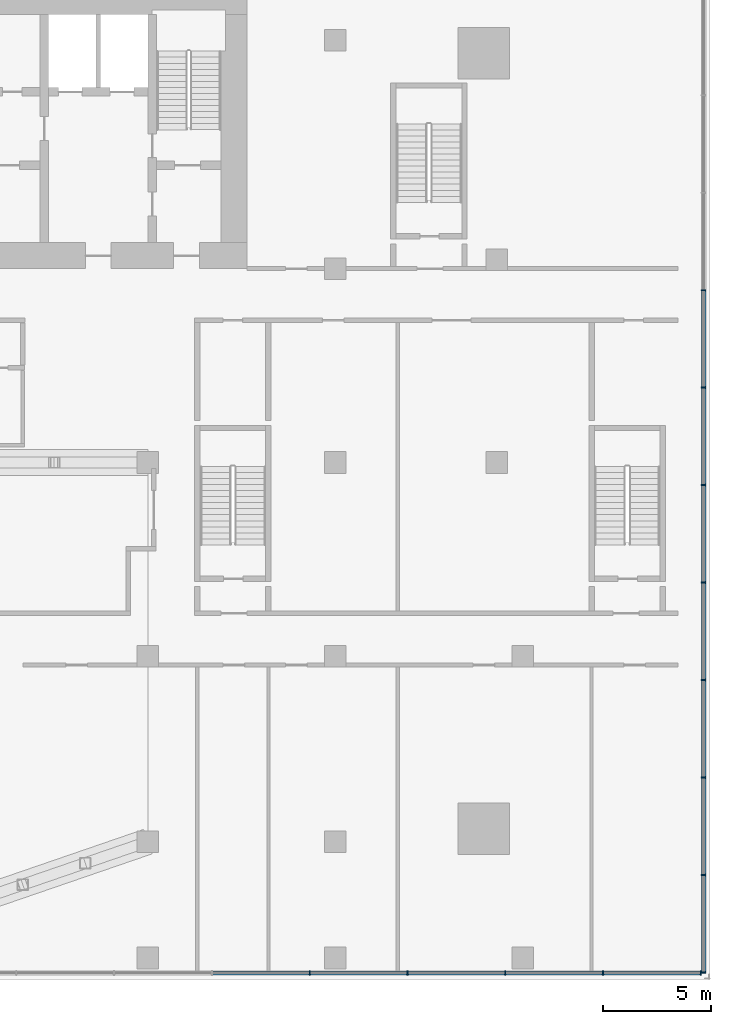
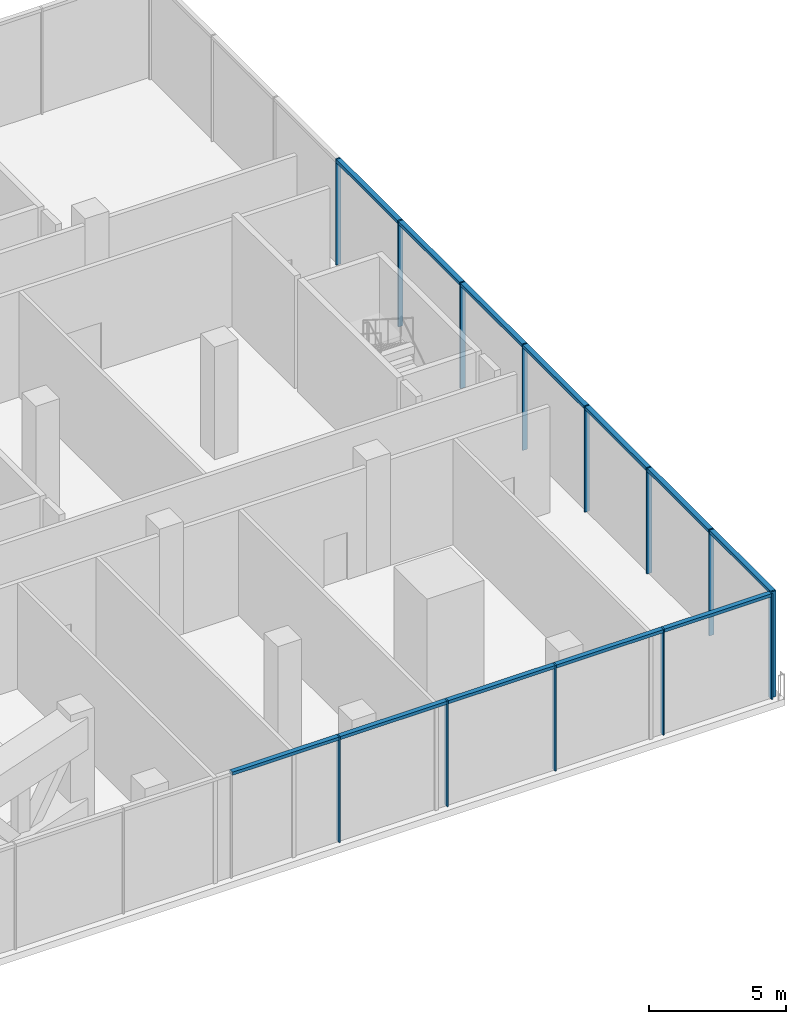
# One storey, part 9 of 22: 25 members, 2 elements without a shape of their own.
"""IFC4 building model written with IfcOpenShell, lengths in metres."""

import ifcopenshell
import ifcopenshell.guid

model = None  # the IFC model being written
_history = None  # IfcOwnerHistory: only IFC2X3 demands one
_inside = {}  # id of a spatial element -> (the spatial element, [elements in it])
_under = {}  # id of a project, library or spatial element -> (it, [spatial elements below it])
_declared = {}  # id of a project -> (the project, [libraries it declares])
_typed = {}  # id of a type object -> (the type object, [elements of that type])
_made_of = {}  # id of a material, layer set ... -> (it, [elements and type objects made of it])


def new_model(schema):
    """Start an empty IFC model of exactly this schema.

    Asked for "IFC4X3", IfcOpenShell would pick the latest addendum, in which some entities
    have other attributes; the version numbers below select the first issue.
    IFC2X3 requires an IfcOwnerHistory on every rooted entity: one is made here for all.
    """
    global model, _history
    if schema == "IFC4X3":
        model = ifcopenshell.file(schema_version=(4, 3, 0, 0))
    else:
        model = ifcopenshell.file(schema=schema)
    _inside.clear()
    _under.clear()
    _declared.clear()
    _typed.clear()
    _made_of.clear()
    _history = None
    if model.schema == "IFC2X3":
        org = make("IfcOrganization", Name="unknown")
        user = make(
            "IfcPersonAndOrganization",
            ThePerson=make("IfcPerson", FamilyName="unknown"),
            TheOrganization=org,
        )
        app = make(
            "IfcApplication",
            ApplicationDeveloper=org,
            Version="unknown",
            ApplicationFullName="unknown",
            ApplicationIdentifier="unknown",
        )
        _history = make(
            "IfcOwnerHistory",
            OwningUser=user,
            OwningApplication=app,
            ChangeAction="ADDED",
            CreationDate=0,
        )
    return model


def make(cls, **values):
    """One entity of the class cls with the attributes given. An attribute that is None is left unset."""
    return model.create_entity(
        cls, **{name: value for name, value in values.items() if value is not None}
    )


def rooted(cls, **values):
    """An entity with a GlobalId (a new one), such as an element, a storey or a relation."""
    return make(cls, GlobalId=ifcopenshell.guid.new(), OwnerHistory=_history, **values)


def si_unit(unit_type, name, prefix=None):
    """IfcSIUnit, for example si_unit("LENGTHUNIT", "METRE", prefix="MILLI")."""
    return make("IfcSIUnit", UnitType=unit_type, Prefix=prefix, Name=name)


def assignment(units):
    """IfcUnitAssignment: the units of a project."""
    return None if units is None else make("IfcUnitAssignment", Units=units)


def point(xyz):
    """IfcCartesianPoint."""
    return None if xyz is None else make("IfcCartesianPoint", Coordinates=xyz)


def direction(xyz):
    """IfcDirection."""
    return None if xyz is None else make("IfcDirection", DirectionRatios=xyz)


def frame(location, z_axis=None, x_axis=None):
    """IfcAxis2Placement3D, a coordinate frame: its origin and axes. An axis left out is left unset."""
    return make(
        "IfcAxis2Placement3D",
        Location=point(location),
        Axis=direction(z_axis),
        RefDirection=direction(x_axis),
    )


def frame_2d(location, x_axis=None):
    """IfcAxis2Placement2D, a coordinate frame in the plane: its origin and x axis."""
    return make(
        "IfcAxis2Placement2D", Location=point(location), RefDirection=direction(x_axis)
    )


def origin():
    """The frame at (0, 0, 0) with its axes left unset."""
    return frame((0.0, 0.0, 0.0))


def origin_2d():
    """The frame at (0, 0) in the plane with its x axis left unset."""
    return frame_2d((0.0, 0.0))


def place(relative_to, where):
    """IfcLocalPlacement: puts the frame where relative to a parent placement (None: the world)."""
    return make(
        "IfcLocalPlacement", PlacementRelTo=relative_to, RelativePlacement=where
    )


def context(
    kind, dimensions, precision=None, world=None, true_north=None, identifier=None
):
    """IfcGeometricRepresentationContext, for example the 3D "Model" context."""
    return make(
        "IfcGeometricRepresentationContext",
        ContextIdentifier=identifier,
        ContextType=kind,
        CoordinateSpaceDimension=dimensions,
        Precision=precision,
        WorldCoordinateSystem=world,
        TrueNorth=true_north,
    )


def subcontext(parent, identifier, kind, view, scale=None):
    """IfcGeometricRepresentationSubContext, for example "Body" below "Model"."""
    return make(
        "IfcGeometricRepresentationSubContext",
        ContextIdentifier=identifier,
        ContextType=kind,
        ParentContext=parent,
        TargetScale=scale,
        TargetView=view,
    )


def project(units=None, contexts=None):
    """IfcProject with its units and contexts."""
    return rooted(
        "IfcProject",
        Name="project",
        RepresentationContexts=contexts,
        UnitsInContext=assignment(units),
    )


def spatial(cls, under=None, at=None, **own):
    """A site, building, storey or space (cls), placed at a placement, below another one or the project."""
    s = rooted(cls, ObjectPlacement=at, **own)
    if under is not None:
        _under.setdefault(under.id(), (under, []))[1].append(s)
    return s


def profile(cls, at=None, kind="AREA", **sizes):
    """A parametric profile (cls). Its sizes go by their IFC names, for example OverallWidth=200.0."""
    return make(cls, ProfileType=kind, Position=at, **sizes)


def rectangle(**sizes):
    """IfcRectangleProfileDef."""
    return profile("IfcRectangleProfileDef", **sizes)


def extrude(swept, where, along, depth):
    """IfcExtrudedAreaSolid: the profile swept, set in the frame where, extruded along a direction by depth."""
    return make(
        "IfcExtrudedAreaSolid",
        SweptArea=swept,
        Position=where,
        ExtrudedDirection=direction(along),
        Depth=depth,
    )


def shape(context_of_items, identifier, shape_type, items):
    """IfcShapeRepresentation: the items that make up one representation, for example the "Body"."""
    return make(
        "IfcShapeRepresentation",
        ContextOfItems=context_of_items,
        RepresentationIdentifier=identifier,
        RepresentationType=shape_type,
        Items=items,
    )


def material(Name=None, Category=None):
    """IfcMaterial."""
    return make("IfcMaterial", Name=Name, Category=Category)


def material_profile(
    of_material, cross_section, Name=None, Category=None, Priority=None
):
    """IfcMaterialProfile: a cross section and its material."""
    return make(
        "IfcMaterialProfile",
        Name=Name,
        Material=of_material,
        Profile=cross_section,
        Priority=Priority,
        Category=Category,
    )


def profile_set(profiles, Name=None, composite=None):
    """IfcMaterialProfileSet."""
    return make(
        "IfcMaterialProfileSet",
        Name=Name,
        MaterialProfiles=profiles,
        CompositeProfile=composite,
    )


def made_of(thing, what):
    """Note that an element or type object is made of a material, layer set ...; save() writes the relation."""
    if what is not None:
        _made_of.setdefault(what.id(), (what, []))[1].append(thing)
    return thing


def type_object(cls, material=None, **own):
    """A type object (cls), such as IfcWallType, which elements share."""
    return made_of(rooted(cls, **own), material)


def element(
    cls,
    number,
    at=None,
    inside=None,
    cuts=None,
    type_object=None,
    material=None,
    context=None,
    identifier="Body",
    shape_type=None,
    held_by="IfcProductDefinitionShape",
    body=None,
    shapes=None,
    **own,
):
    """One element of the class cls, such as IfcWall. Its Tag is "e" and its number.

    at: its placement. inside: the storey or other place that contains it. cuts: it is an
    opening in that element (IfcRelVoidsElement). A single representation is given by context,
    identifier, shape_type and body (its items); several are given by shapes. held_by: the class
    of the entity that holds the representations. save() writes the other relations.
    """
    e = rooted(cls, Tag="e%d" % number, ObjectPlacement=at, **own)
    if body is not None:
        shapes = [shape(context, identifier, shape_type, body)]
    if shapes is not None:
        e.Representation = make(held_by, Representations=shapes)
    if inside is not None:
        _inside.setdefault(inside.id(), (inside, []))[1].append(e)
    if cuts is not None:
        rooted(
            "IfcRelVoidsElement", RelatingBuildingElement=cuts, RelatedOpeningElement=e
        )
    if type_object is not None:
        _typed.setdefault(type_object.id(), (type_object, []))[1].append(e)
    return made_of(e, material)


def aggregate(whole, parts):
    """IfcRelAggregates: a whole, such as a stair, and the parts it consists of."""
    return rooted("IfcRelAggregates", RelatingObject=whole, RelatedObjects=parts)


def save(model, path):
    """Write the relations noted so far, then the file.

    IfcRelAggregates (storeys below a building ...), IfcRelContainedInSpatialStructure (elements
    in a storey), IfcRelDefinesByType, IfcRelAssociatesMaterial and IfcRelDeclares: one each for
    every whole, place, type object, material and project.
    """
    for whole, parts in _under.values():
        aggregate(whole, parts)
    for where, things in _inside.values():
        rooted(
            "IfcRelContainedInSpatialStructure",
            RelatedElements=things,
            RelatingStructure=where,
        )
    for kind, things in _typed.values():
        rooted("IfcRelDefinesByType", RelatedObjects=things, RelatingType=kind)
    for what, things in _made_of.values():
        rooted("IfcRelAssociatesMaterial", RelatedObjects=things, RelatingMaterial=what)
    for by, libraries in _declared.values():
        rooted("IfcRelDeclares", RelatingContext=by, RelatedDefinitions=libraries)
    model.write(path)


model = new_model("IFC4")

# Units and contexts
model_context = context("Model", 3, precision=1e-05, world=origin(), true_north=direction((0.0, 1.0)))
body_context = subcontext(model_context, "Body", "Model", "MODEL_VIEW")
ifc_project = project(units=[si_unit("LENGTHUNIT", "METRE"), si_unit("AREAUNIT", "SQUARE_METRE"), si_unit("VOLUMEUNIT", "CUBIC_METRE"), si_unit("PLANEANGLEUNIT", "RADIAN"), si_unit("MASSUNIT", "GRAM", prefix="KILO")], contexts=[model_context])

# Site, building, storey
site_placement = place(None, origin())
site = spatial("IfcSite", under=ifc_project, at=site_placement, CompositionType="ELEMENT")
building_placement = place(site_placement, origin())
building = spatial("IfcBuilding", under=site, at=building_placement, Name="Bicima Exchange Tower", CompositionType="ELEMENT")
storey_placement = place(building_placement, frame((0.0, 0.0, 20.0)))
storey = spatial("IfcBuildingStorey", under=building, at=storey_placement, Name="L03", CompositionType="ELEMENT", Elevation=20.0)

# Curtain wall, members
ifc_material = material(Name="Anodised bronze aluminium", Category="aluminium")
curtain_wall_type = type_object("IfcCurtainWallType", Name="Lobby glazing", PredefinedType="NOTDEFINED", material=ifc_material)
curtain_wall_1_placement = place(storey_placement, origin())
curtain_wall_1 = element("IfcCurtainWall", 1, at=curtain_wall_1_placement, inside=storey, type_object=curtain_wall_type, Name="Podium glazing L03 south 1", PredefinedType="NOTDEFINED")
ifc_material_profile_1 = material_profile(ifc_material, rectangle(XDim=0.199951171875, YDim=0.06005859375, at=origin_2d()))
ifc_profile_set_1 = profile_set([ifc_material_profile_1], Name="Anodised bronze aluminium")
member_type_1 = type_object("IfcMemberType", Name="Lobby glazing mullion 60 x 200", PredefinedType="MULLION", material=ifc_profile_set_1)
member_1_placement = place(storey_placement, frame((24.914306640625, -45.699951171875, 0.0), z_axis=(0.0, 0.0, 1.0), x_axis=(0.0, 1.0, 0.0)))
member_1 = element("IfcMember", 2, at=member_1_placement, type_object=member_type_1, Name="Lobby glazing mullion 16", PredefinedType="MULLION", context=body_context, shape_type="SweptSolid", body=[
    extrude(rectangle(XDim=0.199951171875, YDim=0.06005859375, at=origin_2d()), origin(), (0.0, 0.0, 1.0), 4.699951171875),
])
member_2_placement = place(storey_placement, frame((29.453125, -45.699951171875, 0.0), z_axis=(0.0, 0.0, 1.0), x_axis=(0.0, 1.0, 0.0)))
member_2 = element("IfcMember", 3, at=member_2_placement, type_object=member_type_1, Name="Lobby glazing mullion 17", PredefinedType="MULLION", context=body_context, shape_type="SweptSolid", body=[
    extrude(rectangle(XDim=0.199951171875, YDim=0.06005859375, at=origin_2d()), origin(), (0.0, 0.0, 1.0), 4.699951171875),
])
member_3_placement = place(storey_placement, frame((33.9921875, -45.699951171875, 0.0), z_axis=(0.0, 0.0, 1.0), x_axis=(0.0, 1.0, 0.0)))
member_3 = element("IfcMember", 4, at=member_3_placement, type_object=member_type_1, Name="Lobby glazing mullion 18", PredefinedType="MULLION", context=body_context, shape_type="SweptSolid", body=[
    extrude(rectangle(XDim=0.199951171875, YDim=0.06005859375, at=origin_2d()), origin(), (0.0, 0.0, 1.0), 4.699951171875),
])
member_4_placement = place(storey_placement, frame((38.531005859375, -45.699951171875, 0.0), z_axis=(0.0, 0.0, 1.0), x_axis=(0.0, 1.0, 0.0)))
member_4 = element("IfcMember", 5, at=member_4_placement, type_object=member_type_1, Name="Lobby glazing mullion 19", PredefinedType="MULLION", context=body_context, shape_type="SweptSolid", body=[
    extrude(rectangle(XDim=0.199951171875, YDim=0.06005859375, at=origin_2d()), origin(), (0.0, 0.0, 1.0), 4.699951171875),
])
member_5_placement = place(storey_placement, frame((43.070068359375, -45.699951171875, 0.0), z_axis=(0.0, 0.0, 1.0), x_axis=(0.0, 1.0, 0.0)))
member_5 = element("IfcMember", 6, at=member_5_placement, type_object=member_type_1, Name="Lobby glazing mullion 20", PredefinedType="MULLION", context=body_context, shape_type="SweptSolid", body=[
    extrude(rectangle(XDim=0.199951171875, YDim=0.06005859375, at=origin_2d()), origin(), (0.0, 0.0, 1.0), 4.699951171875),
])

curtain_wall_2_placement = place(storey_placement, origin())
curtain_wall_2 = element("IfcCurtainWall", 7, at=curtain_wall_2_placement, inside=storey, type_object=curtain_wall_type, Name="Podium glazing L03 east 1", PredefinedType="NOTDEFINED")
member_6_placement = place(storey_placement, frame((43.199951171875, -45.669921875, 0.0), z_axis=(0.0, 0.0, 1.0), x_axis=(-1.0, 0.0, 0.0)))
member_6 = element("IfcMember", 8, at=member_6_placement, type_object=member_type_1, Name="Lobby glazing mullion 1", PredefinedType="MULLION", context=body_context, shape_type="SweptSolid", body=[
    extrude(rectangle(XDim=0.199951171875, YDim=0.06005859375, at=origin_2d()), origin(), (0.0, 0.0, 1.0), 4.699951171875),
])
member_7_placement = place(storey_placement, frame((43.199951171875, -41.14599609375, 0.0), z_axis=(0.0, 0.0, 1.0), x_axis=(-1.0, 0.0, 0.0)))
member_7 = element("IfcMember", 9, at=member_7_placement, type_object=member_type_1, Name="Lobby glazing mullion 2", PredefinedType="MULLION", context=body_context, shape_type="SweptSolid", body=[
    extrude(rectangle(XDim=0.199951171875, YDim=0.06005859375, at=origin_2d()), origin(), (0.0, 0.0, 1.0), 4.699951171875),
])
member_8_placement = place(storey_placement, frame((43.199951171875, -36.6220703125, 0.0), z_axis=(0.0, 0.0, 1.0), x_axis=(-1.0, 0.0, 0.0)))
member_8 = element("IfcMember", 10, at=member_8_placement, type_object=member_type_1, Name="Lobby glazing mullion 3", PredefinedType="MULLION", context=body_context, shape_type="SweptSolid", body=[
    extrude(rectangle(XDim=0.199951171875, YDim=0.06005859375, at=origin_2d()), origin(), (0.0, 0.0, 1.0), 4.699951171875),
])
member_9_placement = place(storey_placement, frame((43.199951171875, -32.097900390625, 0.0), z_axis=(0.0, 0.0, 1.0), x_axis=(-1.0, 0.0, 0.0)))
member_9 = element("IfcMember", 11, at=member_9_placement, type_object=member_type_1, Name="Lobby glazing mullion 4", PredefinedType="MULLION", context=body_context, shape_type="SweptSolid", body=[
    extrude(rectangle(XDim=0.199951171875, YDim=0.06005859375, at=origin_2d()), origin(), (0.0, 0.0, 1.0), 4.699951171875),
])
member_10_placement = place(storey_placement, frame((43.199951171875, -27.573974609375, 0.0), z_axis=(0.0, 0.0, 1.0), x_axis=(-1.0, 0.0, 0.0)))
member_10 = element("IfcMember", 12, at=member_10_placement, type_object=member_type_1, Name="Lobby glazing mullion 5", PredefinedType="MULLION", context=body_context, shape_type="SweptSolid", body=[
    extrude(rectangle(XDim=0.199951171875, YDim=0.06005859375, at=origin_2d()), origin(), (0.0, 0.0, 1.0), 4.699951171875),
])
member_11_placement = place(storey_placement, frame((43.199951171875, -23.050048828125, 0.0), z_axis=(0.0, 0.0, 1.0), x_axis=(-1.0, 0.0, 0.0)))
member_11 = element("IfcMember", 13, at=member_11_placement, type_object=member_type_1, Name="Lobby glazing mullion 6", PredefinedType="MULLION", context=body_context, shape_type="SweptSolid", body=[
    extrude(rectangle(XDim=0.199951171875, YDim=0.06005859375, at=origin_2d()), origin(), (0.0, 0.0, 1.0), 4.699951171875),
])
member_12_placement = place(storey_placement, frame((43.199951171875, -18.52587890625, 0.0), z_axis=(0.0, 0.0, 1.0), x_axis=(-1.0, 0.0, 0.0)))
member_12 = element("IfcMember", 14, at=member_12_placement, type_object=member_type_1, Name="Lobby glazing mullion 7", PredefinedType="MULLION", context=body_context, shape_type="SweptSolid", body=[
    extrude(rectangle(XDim=0.199951171875, YDim=0.06005859375, at=origin_2d()), origin(), (0.0, 0.0, 1.0), 4.699951171875),
])
member_13_placement = place(storey_placement, frame((43.199951171875, -14.001953125, 0.0), z_axis=(0.0, 0.0, 1.0), x_axis=(-1.0, 0.0, 0.0)))
member_13 = element("IfcMember", 15, at=member_13_placement, type_object=member_type_1, Name="Lobby glazing mullion 8", PredefinedType="MULLION", context=body_context, shape_type="SweptSolid", body=[
    extrude(rectangle(XDim=0.199951171875, YDim=0.06005859375, at=origin_2d()), origin(), (0.0, 0.0, 1.0), 4.699951171875),
])

# Member
ifc_material_profile_2 = material_profile(ifc_material, rectangle(XDim=0.199951171875, YDim=0.139892578125, at=origin_2d()))
ifc_profile_set_2 = profile_set([ifc_material_profile_2], Name="Anodised bronze aluminium")
member_type_2 = type_object("IfcMemberType", Name="Lobby glazing transom 140 x 200", PredefinedType="USERDEFINED", material=ifc_profile_set_2)
member_14_placement = place(storey_placement, frame((20.4052734375, -45.699951171875, 4.6298828125), z_axis=(1.0, 0.0, 0.0), x_axis=(0.0, 1.0, 0.0)))
member_14 = element("IfcMember", 16, at=member_14_placement, type_object=member_type_2, Name="Lobby glazing transom 15.1", ObjectType="TRANSOM", PredefinedType="USERDEFINED", context=body_context, shape_type="SweptSolid", body=[
    extrude(rectangle(XDim=0.199951171875, YDim=0.139892578125, at=origin_2d()), origin(), (0.0, 0.0, 1.0), 4.47900390625),
])

member_15_placement = place(storey_placement, frame((24.944091796875, -45.699951171875, 4.6298828125), z_axis=(1.0, 0.0, 0.0), x_axis=(0.0, 1.0, 0.0)))
member_15 = element("IfcMember", 17, at=member_15_placement, type_object=member_type_2, Name="Lobby glazing transom 16.1", ObjectType="TRANSOM", PredefinedType="USERDEFINED", context=body_context, shape_type="SweptSolid", body=[
    extrude(rectangle(XDim=0.199951171875, YDim=0.139892578125, at=origin_2d()), origin(), (0.0, 0.0, 1.0), 4.47900390625),
])

member_16_placement = place(storey_placement, frame((29.483154296875, -45.699951171875, 4.6298828125), z_axis=(1.0, 0.0, 0.0), x_axis=(0.0, 1.0, 0.0)))
member_16 = element("IfcMember", 18, at=member_16_placement, type_object=member_type_2, Name="Lobby glazing transom 17.1", ObjectType="TRANSOM", PredefinedType="USERDEFINED", context=body_context, shape_type="SweptSolid", body=[
    extrude(rectangle(XDim=0.199951171875, YDim=0.139892578125, at=origin_2d()), origin(), (0.0, 0.0, 1.0), 4.47900390625),
])

member_17_placement = place(storey_placement, frame((34.022216796875, -45.699951171875, 4.6298828125), z_axis=(1.0, 0.0, 0.0), x_axis=(0.0, 1.0, 0.0)))
member_17 = element("IfcMember", 19, at=member_17_placement, type_object=member_type_2, Name="Lobby glazing transom 18.1", ObjectType="TRANSOM", PredefinedType="USERDEFINED", context=body_context, shape_type="SweptSolid", body=[
    extrude(rectangle(XDim=0.199951171875, YDim=0.139892578125, at=origin_2d()), origin(), (0.0, 0.0, 1.0), 4.47900390625),
])

member_18_placement = place(storey_placement, frame((38.56103515625, -45.699951171875, 4.6298828125), z_axis=(1.0, 0.0, 0.0), x_axis=(0.0, 1.0, 0.0)))
member_18 = element("IfcMember", 20, at=member_18_placement, type_object=member_type_2, Name="Lobby glazing transom 19.1", ObjectType="TRANSOM", PredefinedType="USERDEFINED", context=body_context, shape_type="SweptSolid", body=[
    extrude(rectangle(XDim=0.199951171875, YDim=0.139892578125, at=origin_2d()), origin(), (0.0, 0.0, 1.0), 4.47900390625),
])

aggregate(curtain_wall_1, [member_1, member_2, member_3, member_4, member_5, member_14, member_15, member_16, member_17, member_18])

member_19_placement = place(storey_placement, frame((43.199951171875, -45.639892578125, 4.6298828125), z_axis=(0.0, 1.0, 0.0), x_axis=(-1.0, 0.0, 0.0)))
member_19 = element("IfcMember", 21, at=member_19_placement, type_object=member_type_2, Name="Lobby glazing transom 1.1", ObjectType="TRANSOM", PredefinedType="USERDEFINED", context=body_context, shape_type="SweptSolid", body=[
    extrude(rectangle(XDim=0.199951171875, YDim=0.139892578125, at=origin_2d()), origin(), (0.0, 0.0, 1.0), 4.4638671875),
])

member_20_placement = place(storey_placement, frame((43.199951171875, -41.115966796875, 4.6298828125), z_axis=(0.0, 1.0, 0.0), x_axis=(-1.0, 0.0, 0.0)))
member_20 = element("IfcMember", 22, at=member_20_placement, type_object=member_type_2, Name="Lobby glazing transom 2.1", ObjectType="TRANSOM", PredefinedType="USERDEFINED", context=body_context, shape_type="SweptSolid", body=[
    extrude(rectangle(XDim=0.199951171875, YDim=0.139892578125, at=origin_2d()), origin(), (0.0, 0.0, 1.0), 4.4638671875),
])

member_21_placement = place(storey_placement, frame((43.199951171875, -36.592041015625, 4.6298828125), z_axis=(0.0, 1.0, 0.0), x_axis=(-1.0, 0.0, 0.0)))
member_21 = element("IfcMember", 23, at=member_21_placement, type_object=member_type_2, Name="Lobby glazing transom 3.1", ObjectType="TRANSOM", PredefinedType="USERDEFINED", context=body_context, shape_type="SweptSolid", body=[
    extrude(rectangle(XDim=0.199951171875, YDim=0.139892578125, at=origin_2d()), origin(), (0.0, 0.0, 1.0), 4.464111328125),
])

member_22_placement = place(storey_placement, frame((43.199951171875, -32.068115234375, 4.6298828125), z_axis=(0.0, 1.0, 0.0), x_axis=(-1.0, 0.0, 0.0)))
member_22 = element("IfcMember", 24, at=member_22_placement, type_object=member_type_2, Name="Lobby glazing transom 4.1", ObjectType="TRANSOM", PredefinedType="USERDEFINED", context=body_context, shape_type="SweptSolid", body=[
    extrude(rectangle(XDim=0.199951171875, YDim=0.139892578125, at=origin_2d()), origin(), (0.0, 0.0, 1.0), 4.464111328125),
])

member_23_placement = place(storey_placement, frame((43.199951171875, -27.5439453125, 4.6298828125), z_axis=(0.0, 1.0, 0.0), x_axis=(-1.0, 0.0, 0.0)))
member_23 = element("IfcMember", 25, at=member_23_placement, type_object=member_type_2, Name="Lobby glazing transom 5.1", ObjectType="TRANSOM", PredefinedType="USERDEFINED", context=body_context, shape_type="SweptSolid", body=[
    extrude(rectangle(XDim=0.199951171875, YDim=0.139892578125, at=origin_2d()), origin(), (0.0, 0.0, 1.0), 4.4638671875),
])

member_24_placement = place(storey_placement, frame((43.199951171875, -23.02001953125, 4.6298828125), z_axis=(0.0, 1.0, 0.0), x_axis=(-1.0, 0.0, 0.0)))
member_24 = element("IfcMember", 26, at=member_24_placement, type_object=member_type_2, Name="Lobby glazing transom 6.1", ObjectType="TRANSOM", PredefinedType="USERDEFINED", context=body_context, shape_type="SweptSolid", body=[
    extrude(rectangle(XDim=0.199951171875, YDim=0.139892578125, at=origin_2d()), origin(), (0.0, 0.0, 1.0), 4.464111328125),
])

member_25_placement = place(storey_placement, frame((43.199951171875, -18.49609375, 4.6298828125), z_axis=(0.0, 1.0, 0.0), x_axis=(-1.0, 0.0, 0.0)))
member_25 = element("IfcMember", 27, at=member_25_placement, type_object=member_type_2, Name="Lobby glazing transom 7.1", ObjectType="TRANSOM", PredefinedType="USERDEFINED", context=body_context, shape_type="SweptSolid", body=[
    extrude(rectangle(XDim=0.199951171875, YDim=0.139892578125, at=origin_2d()), origin(), (0.0, 0.0, 1.0), 4.464111328125),
])

aggregate(curtain_wall_2, [member_6, member_7, member_8, member_9, member_10, member_11, member_12, member_13, member_19, member_20, member_21, member_22, member_23, member_24, member_25])

save(model, "model.ifc")
